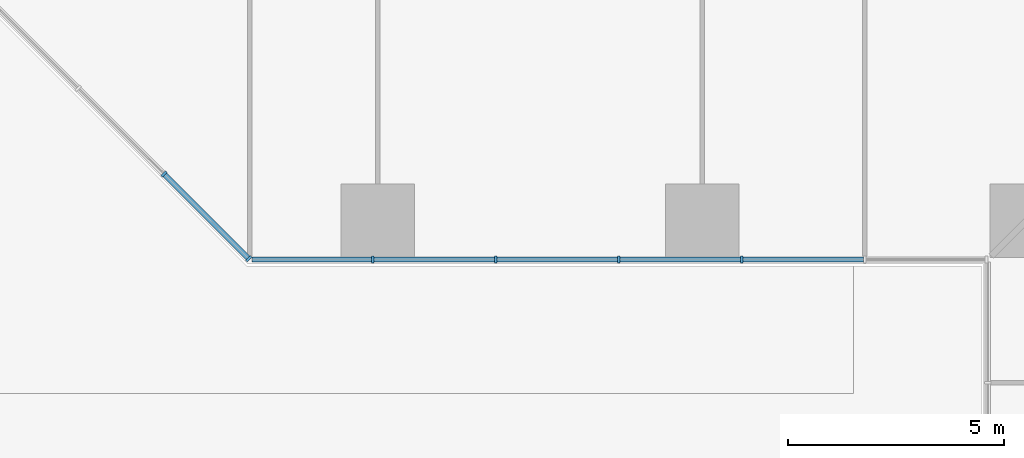
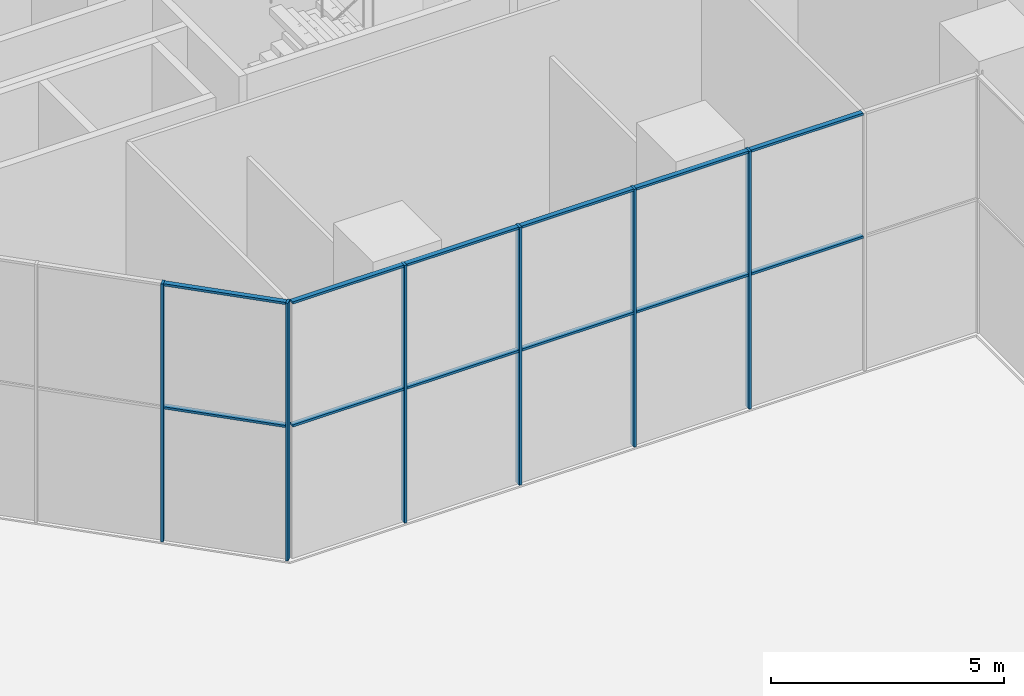
# One storey, part 4 of 43: 18 members, 2 elements without a shape of their own.
"""IFC4 building model written with IfcOpenShell, lengths in metres."""

from ifc_helpers import new_model, si_unit, direction, frame, origin, origin_2d, place, context, subcontext, project, spatial, rectangle, extrude, material, material_profile, profile_set, type_object, element, aggregate, save


model = new_model("IFC4")

# Units and contexts
model_context = context("Model", 3, precision=1e-05, world=origin(), true_north=direction((0.0, 1.0)))
body_context = subcontext(model_context, "Body", "Model", "MODEL_VIEW")
ifc_project = project(units=[si_unit("LENGTHUNIT", "METRE"), si_unit("AREAUNIT", "SQUARE_METRE"), si_unit("VOLUMEUNIT", "CUBIC_METRE"), si_unit("PLANEANGLEUNIT", "RADIAN"), si_unit("MASSUNIT", "GRAM", prefix="KILO")], contexts=[model_context])

# Site, building, storey
site_placement = place(None, origin())
site = spatial("IfcSite", under=ifc_project, at=site_placement, CompositionType="ELEMENT")
building_placement = place(site_placement, origin())
building = spatial("IfcBuilding", under=site, at=building_placement, Name="Mizan Broadcast Tower", CompositionType="ELEMENT")
storey_placement = place(building_placement, origin())
storey = spatial("IfcBuildingStorey", under=building, at=storey_placement, Name="L00", CompositionType="ELEMENT", Elevation=0.0)

# Curtain wall, members
ifc_material_1 = material(Name="Aluminium framed glazing", Category="aluminium")
curtain_wall_type = type_object("IfcCurtainWallType", Name="PODIUM CURTAIN WALL", PredefinedType="USERDEFINED", material=ifc_material_1)
curtain_wall_1_placement = place(storey_placement, origin())
curtain_wall_1 = element("IfcCurtainWall", 1, at=curtain_wall_1_placement, inside=storey, type_object=curtain_wall_type, Name="Podium curtain wall L00 W chamfer", ObjectType="PODIUM CURTAIN WALL", PredefinedType="USERDEFINED")
ifc_material_2 = material(Name="Aluminium, pale anodised", Category="aluminium")
ifc_material_profile_1 = material_profile(ifc_material_2, rectangle(XDim=0.159912109375, YDim=0.06005859375, at=origin_2d()), Name="MULLION 160x60")
ifc_profile_set_1 = profile_set([ifc_material_profile_1], Name="Aluminium, pale anodised")
member_type_1 = type_object("IfcMemberType", Name="INNER SKIN MULLION 60x160", PredefinedType="MULLION", material=ifc_profile_set_1)
member_1_placement = place(storey_placement, frame((-31.93896484375, -10.91943359375, 0.0), z_axis=(0.0, 0.0, 1.0), x_axis=(0.707106781187, 0.707106781187, 0.0)))
member_1 = element("IfcMember", 2, at=member_1_placement, type_object=member_type_1, Name="Podium curtain wall L00 W chamfer mullion 3", PredefinedType="MULLION", context=body_context, shape_type="SweptSolid", body=[
    extrude(rectangle(XDim=0.159912109375, YDim=0.06005859375, at=origin_2d()), origin(), (0.0, 0.0, 1.0), 6.75),
])
member_2_placement = place(storey_placement, frame((-29.979736328125, -12.87890625, 0.0), z_axis=(0.0, 0.0, 1.0), x_axis=(0.707106781187, 0.707106781187, 0.0)))
member_2 = element("IfcMember", 3, at=member_2_placement, type_object=member_type_1, Name="Podium curtain wall L00 W chamfer mullion 4", PredefinedType="MULLION", context=body_context, shape_type="SweptSolid", body=[
    extrude(rectangle(XDim=0.159912109375, YDim=0.06005859375, at=origin_2d()), origin(), (0.0, 0.0, 1.0), 6.75),
])

curtain_wall_2_placement = place(storey_placement, origin())
curtain_wall_2 = element("IfcCurtainWall", 4, at=curtain_wall_2_placement, inside=storey, type_object=curtain_wall_type, Name="Podium curtain wall L00 W side", ObjectType="PODIUM CURTAIN WALL", PredefinedType="USERDEFINED")
member_3_placement = place(storey_placement, frame((-27.115478515625, -12.89990234375, 0.0), z_axis=(0.0, 0.0, 1.0), x_axis=(0.0, 1.0, 0.0)))
member_3 = element("IfcMember", 5, at=member_3_placement, type_object=member_type_1, Name="Podium curtain wall L00 W side mullion 2", PredefinedType="MULLION", context=body_context, shape_type="SweptSolid", body=[
    extrude(rectangle(XDim=0.159912109375, YDim=0.06005859375, at=origin_2d()), origin(), (0.0, 0.0, 1.0), 6.75),
])
member_4_placement = place(storey_placement, frame((-24.2724609375, -12.89990234375, 0.0), z_axis=(0.0, 0.0, 1.0), x_axis=(0.0, 1.0, 0.0)))
member_4 = element("IfcMember", 6, at=member_4_placement, type_object=member_type_1, Name="Podium curtain wall L00 W side mullion 3", PredefinedType="MULLION", context=body_context, shape_type="SweptSolid", body=[
    extrude(rectangle(XDim=0.159912109375, YDim=0.06005859375, at=origin_2d()), origin(), (0.0, 0.0, 1.0), 6.75),
])
member_5_placement = place(storey_placement, frame((-21.42919921875, -12.89990234375, 0.0), z_axis=(0.0, 0.0, 1.0), x_axis=(0.0, 1.0, 0.0)))
member_5 = element("IfcMember", 7, at=member_5_placement, type_object=member_type_1, Name="Podium curtain wall L00 W side mullion 4", PredefinedType="MULLION", context=body_context, shape_type="SweptSolid", body=[
    extrude(rectangle(XDim=0.159912109375, YDim=0.06005859375, at=origin_2d()), origin(), (0.0, 0.0, 1.0), 6.75),
])
member_6_placement = place(storey_placement, frame((-18.586181640625, -12.89990234375, 0.0), z_axis=(0.0, 0.0, 1.0), x_axis=(0.0, 1.0, 0.0)))
member_6 = element("IfcMember", 8, at=member_6_placement, type_object=member_type_1, Name="Podium curtain wall L00 W side mullion 5", PredefinedType="MULLION", context=body_context, shape_type="SweptSolid", body=[
    extrude(rectangle(XDim=0.159912109375, YDim=0.06005859375, at=origin_2d()), origin(), (0.0, 0.0, 1.0), 6.75),
])

# Member
ifc_material_3 = material(Name="Aluminium, pale anodised", Category="aluminium")
ifc_material_profile_2 = material_profile(ifc_material_3, rectangle(XDim=0.1201171875, YDim=0.06005859375, at=origin_2d()), Name="TRANSOM 120x60")
ifc_profile_set_2 = profile_set([ifc_material_profile_2], Name="Aluminium, pale anodised")
member_type_2 = type_object("IfcMemberType", Name="INNER SKIN TRANSOM 60x120", PredefinedType="USERDEFINED", material=ifc_profile_set_2)
member_7_placement = place(storey_placement, frame((-31.917724609375, -10.940673828125, 3.5), z_axis=(0.707061749709, -0.707151809797, 0.0), x_axis=(0.707151809797, 0.707061749709, 0.0)))
member_7 = element("IfcMember", 9, at=member_7_placement, type_object=member_type_2, Name="Podium curtain wall L00 W chamfer transom 3.1", ObjectType="TRANSOM", PredefinedType="USERDEFINED", context=body_context, shape_type="SweptSolid", body=[
    extrude(rectangle(XDim=0.1201171875, YDim=0.06005859375, at=origin_2d()), origin(), (0.0, 0.0, 1.0), 2.7109375),
])

member_8_placement = place(storey_placement, frame((-31.917724609375, -10.940673828125, 6.719970703125), z_axis=(0.707061749709, -0.707151809797, 0.0), x_axis=(0.707151809797, 0.707061749709, 0.0)))
member_8 = element("IfcMember", 10, at=member_8_placement, type_object=member_type_2, Name="Podium curtain wall L00 W chamfer transom 3.2", ObjectType="TRANSOM", PredefinedType="USERDEFINED", context=body_context, shape_type="SweptSolid", body=[
    extrude(rectangle(XDim=0.1201171875, YDim=0.06005859375, at=origin_2d()), origin(), (0.0, 0.0, 1.0), 2.7109375),
])

aggregate(curtain_wall_1, [member_1, member_2, member_7, member_8])

member_9_placement = place(storey_placement, frame((-29.898681640625, -12.89990234375, 3.5), z_axis=(1.0, 0.0, 0.0), x_axis=(0.0, 1.0, 0.0)))
member_9 = element("IfcMember", 11, at=member_9_placement, type_object=member_type_2, Name="Podium curtain wall L00 W side transom 1.1", ObjectType="TRANSOM", PredefinedType="USERDEFINED", context=body_context, shape_type="SweptSolid", body=[
    extrude(rectangle(XDim=0.1201171875, YDim=0.06005859375, at=origin_2d()), origin(), (0.0, 0.0, 1.0), 2.753173828125),
])

member_10_placement = place(storey_placement, frame((-29.898681640625, -12.89990234375, 6.719970703125), z_axis=(1.0, 0.0, 0.0), x_axis=(0.0, 1.0, 0.0)))
member_10 = element("IfcMember", 12, at=member_10_placement, type_object=member_type_2, Name="Podium curtain wall L00 W side transom 1.2", ObjectType="TRANSOM", PredefinedType="USERDEFINED", context=body_context, shape_type="SweptSolid", body=[
    extrude(rectangle(XDim=0.1201171875, YDim=0.06005859375, at=origin_2d()), origin(), (0.0, 0.0, 1.0), 2.753173828125),
])

member_11_placement = place(storey_placement, frame((-27.08544921875, -12.89990234375, 3.5), z_axis=(1.0, 0.0, 0.0), x_axis=(0.0, 1.0, 0.0)))
member_11 = element("IfcMember", 13, at=member_11_placement, type_object=member_type_2, Name="Podium curtain wall L00 W side transom 2.1", ObjectType="TRANSOM", PredefinedType="USERDEFINED", context=body_context, shape_type="SweptSolid", body=[
    extrude(rectangle(XDim=0.1201171875, YDim=0.06005859375, at=origin_2d()), origin(), (0.0, 0.0, 1.0), 2.782958984375),
])

member_12_placement = place(storey_placement, frame((-27.08544921875, -12.89990234375, 6.719970703125), z_axis=(1.0, 0.0, 0.0), x_axis=(0.0, 1.0, 0.0)))
member_12 = element("IfcMember", 14, at=member_12_placement, type_object=member_type_2, Name="Podium curtain wall L00 W side transom 2.2", ObjectType="TRANSOM", PredefinedType="USERDEFINED", context=body_context, shape_type="SweptSolid", body=[
    extrude(rectangle(XDim=0.1201171875, YDim=0.06005859375, at=origin_2d()), origin(), (0.0, 0.0, 1.0), 2.782958984375),
])

member_13_placement = place(storey_placement, frame((-24.242431640625, -12.89990234375, 3.5), z_axis=(1.0, 0.0, 0.0), x_axis=(0.0, 1.0, 0.0)))
member_13 = element("IfcMember", 15, at=member_13_placement, type_object=member_type_2, Name="Podium curtain wall L00 W side transom 3.1", ObjectType="TRANSOM", PredefinedType="USERDEFINED", context=body_context, shape_type="SweptSolid", body=[
    extrude(rectangle(XDim=0.1201171875, YDim=0.06005859375, at=origin_2d()), origin(), (0.0, 0.0, 1.0), 2.783203125),
])

member_14_placement = place(storey_placement, frame((-24.242431640625, -12.89990234375, 6.719970703125), z_axis=(1.0, 0.0, 0.0), x_axis=(0.0, 1.0, 0.0)))
member_14 = element("IfcMember", 16, at=member_14_placement, type_object=member_type_2, Name="Podium curtain wall L00 W side transom 3.2", ObjectType="TRANSOM", PredefinedType="USERDEFINED", context=body_context, shape_type="SweptSolid", body=[
    extrude(rectangle(XDim=0.1201171875, YDim=0.06005859375, at=origin_2d()), origin(), (0.0, 0.0, 1.0), 2.783203125),
])

member_15_placement = place(storey_placement, frame((-21.399169921875, -12.89990234375, 3.5), z_axis=(1.0, 0.0, 0.0), x_axis=(0.0, 1.0, 0.0)))
member_15 = element("IfcMember", 17, at=member_15_placement, type_object=member_type_2, Name="Podium curtain wall L00 W side transom 4.1", ObjectType="TRANSOM", PredefinedType="USERDEFINED", context=body_context, shape_type="SweptSolid", body=[
    extrude(rectangle(XDim=0.1201171875, YDim=0.06005859375, at=origin_2d()), origin(), (0.0, 0.0, 1.0), 2.782958984375),
])

member_16_placement = place(storey_placement, frame((-21.399169921875, -12.89990234375, 6.719970703125), z_axis=(1.0, 0.0, 0.0), x_axis=(0.0, 1.0, 0.0)))
member_16 = element("IfcMember", 18, at=member_16_placement, type_object=member_type_2, Name="Podium curtain wall L00 W side transom 4.2", ObjectType="TRANSOM", PredefinedType="USERDEFINED", context=body_context, shape_type="SweptSolid", body=[
    extrude(rectangle(XDim=0.1201171875, YDim=0.06005859375, at=origin_2d()), origin(), (0.0, 0.0, 1.0), 2.782958984375),
])

member_17_placement = place(storey_placement, frame((-18.55615234375, -12.89990234375, 3.5), z_axis=(1.0, 0.0, 0.0), x_axis=(0.0, 1.0, 0.0)))
member_17 = element("IfcMember", 19, at=member_17_placement, type_object=member_type_2, Name="Podium curtain wall L00 W side transom 5.1", ObjectType="TRANSOM", PredefinedType="USERDEFINED", context=body_context, shape_type="SweptSolid", body=[
    extrude(rectangle(XDim=0.1201171875, YDim=0.06005859375, at=origin_2d()), origin(), (0.0, 0.0, 1.0), 2.782958984375),
])

member_18_placement = place(storey_placement, frame((-18.55615234375, -12.89990234375, 6.719970703125), z_axis=(1.0, 0.0, 0.0), x_axis=(0.0, 1.0, 0.0)))
member_18 = element("IfcMember", 20, at=member_18_placement, type_object=member_type_2, Name="Podium curtain wall L00 W side transom 5.2", ObjectType="TRANSOM", PredefinedType="USERDEFINED", context=body_context, shape_type="SweptSolid", body=[
    extrude(rectangle(XDim=0.1201171875, YDim=0.06005859375, at=origin_2d()), origin(), (0.0, 0.0, 1.0), 2.782958984375),
])

aggregate(curtain_wall_2, [member_3, member_4, member_5, member_6, member_9, member_10, member_11, member_12, member_13, member_14, member_15, member_16, member_17, member_18])

save(model, "model.ifc")
